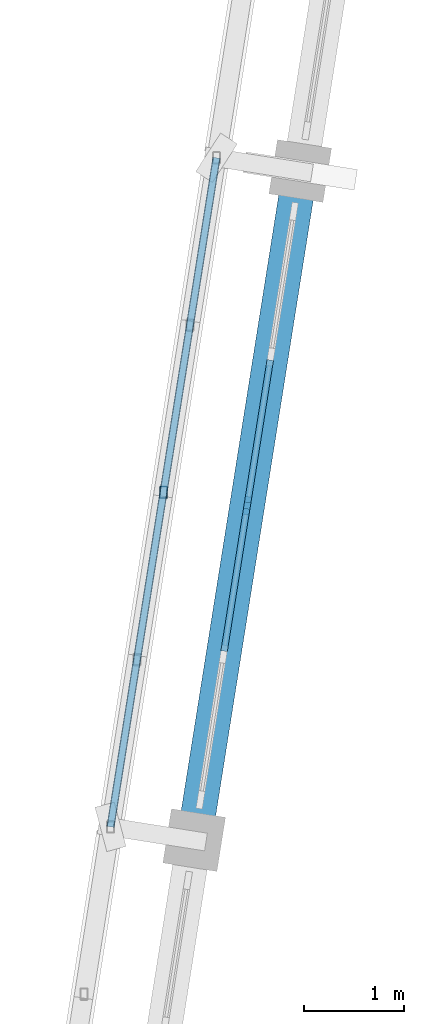
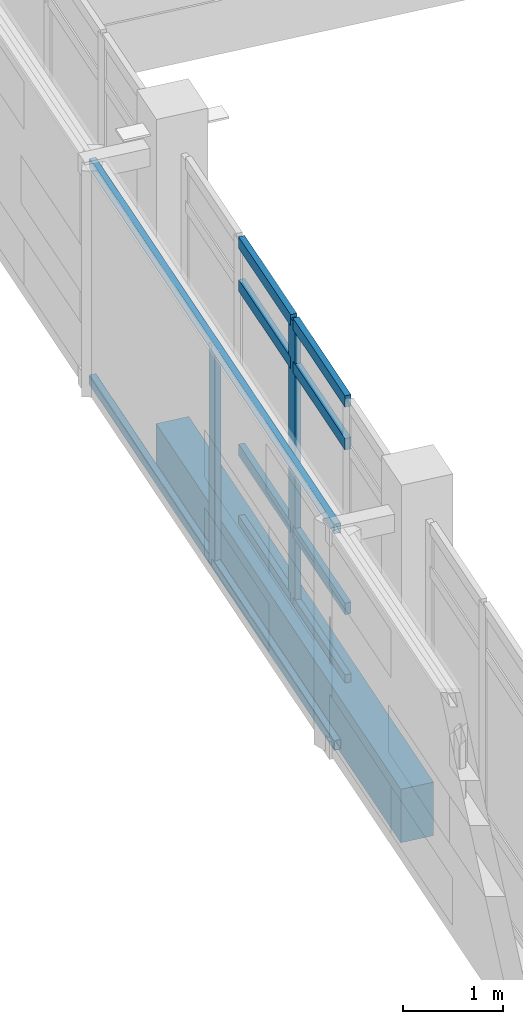
# One storey, part 37 of 117: 12 members, 1 beam, 1 element without a shape of its own.
"""IFC4 building model written with IfcOpenShell, lengths in metres."""

from ifc_helpers import new_model, si_unit, direction, frame, origin, origin_2d, place, context, subcontext, project, spatial, rectangle, hollow_rectangle, extrude, material, material_profile, profile_set, type_object, element, aggregate, save


model = new_model("IFC4")

# Units and contexts
model_context = context("Model", 3, precision=1e-05, world=origin(), true_north=direction((0.0, 1.0)))
body_context = subcontext(model_context, "Body", "Model", "MODEL_VIEW")
ifc_project = project(units=[si_unit("LENGTHUNIT", "METRE"), si_unit("AREAUNIT", "SQUARE_METRE"), si_unit("VOLUMEUNIT", "CUBIC_METRE"), si_unit("PLANEANGLEUNIT", "RADIAN"), si_unit("MASSUNIT", "GRAM", prefix="KILO")], contexts=[model_context])

# Site, building, storey
site_placement = place(None, origin())
site = spatial("IfcSite", under=ifc_project, at=site_placement, CompositionType="ELEMENT")
building_placement = place(site_placement, origin())
building = spatial("IfcBuilding", under=site, at=building_placement, Name="Cinderway Yard Community Centre", CompositionType="ELEMENT")
storey_placement = place(building_placement, frame((0.0, 0.0, 9.0)))
storey = spatial("IfcBuildingStorey", under=building, at=storey_placement, Name="L02", CompositionType="ELEMENT", Elevation=9.0)

# Curtain wall, members
ifc_material_1 = material(Name="Aluminium 6063-T6", Category="aluminium")
curtain_wall_type = type_object("IfcCurtainWallType", Name="ENV-CW-TYPE-17", PredefinedType="USERDEFINED", material=ifc_material_1)
curtain_wall_placement = place(storey_placement, origin())
curtain_wall = element("IfcCurtainWall", 1, at=curtain_wall_placement, inside=storey, type_object=curtain_wall_type, Name="Sports Hall Courtyard Curtain Wall ENV-CW-L02-HS-0064", ObjectType="GLAZED CURTAIN WALL", PredefinedType="USERDEFINED")
ifc_material_profile_1 = material_profile(ifc_material_1, rectangle(XDim=0.06494140625, YDim=0.179931640625, at=origin_2d()), Name="Aluminium 6063-T6")
ifc_profile_set_1 = profile_set([ifc_material_profile_1], Name="Aluminium 6063-T6")
member_type_1 = type_object("IfcMemberType", Name="ENV-CW-MULL-180", PredefinedType="MULLION", material=ifc_profile_set_1)
member_1_placement = place(storey_placement, frame((122.787109375, 68.222900390625, 0.0), z_axis=(0.0, 0.0, 1.0), x_axis=(-0.987660740525, 0.156608625643, 0.0)))
member_1 = element("IfcMember", 2, at=member_1_placement, type_object=member_type_1, Name="CW-17 mullion 3", PredefinedType="MULLION", context=body_context, shape_type="SweptSolid", body=[
    extrude(rectangle(XDim=0.06494140625, YDim=0.179931640625, at=origin_2d()), origin(), (0.0, 0.0, 1.0), 3.449951171875),
])
ifc_material_profile_2 = material_profile(ifc_material_1, rectangle(XDim=0.06494140625, YDim=0.139892578125, at=origin_2d()), Name="Aluminium 6063-T6")
ifc_profile_set_2 = profile_set([ifc_material_profile_2], Name="Aluminium 6063-T6")
member_type_2 = type_object("IfcMemberType", Name="ENV-CW-TRAN-140", PredefinedType="USERDEFINED", material=ifc_profile_set_2)
member_2_placement = place(storey_placement, frame((122.55517578125, 66.76123046875, 0.030029296875), z_axis=(0.156585060263, 0.987664476886, 0.0), x_axis=(-0.987664476886, 0.156585060263, 0.0)))
member_2 = element("IfcMember", 3, at=member_2_placement, type_object=member_type_2, Name="CW-17 transom 2.1", ObjectType="TRANSOM", PredefinedType="USERDEFINED", context=body_context, shape_type="SweptSolid", body=[
    extrude(rectangle(XDim=0.06494140625, YDim=0.139892578125, at=origin_2d()), origin(), (0.0, 0.0, 1.0), 1.449951171875),
])
member_3_placement = place(storey_placement, frame((122.55517578125, 66.76123046875, 0.89990234375), z_axis=(0.156585060263, 0.987664476886, 0.0), x_axis=(-0.987664476886, 0.156585060263, 0.0)))
member_3 = element("IfcMember", 4, at=member_3_placement, type_object=member_type_2, Name="CW-17 transom 2.2", ObjectType="TRANSOM", PredefinedType="USERDEFINED", context=body_context, shape_type="SweptSolid", body=[
    extrude(rectangle(XDim=0.06494140625, YDim=0.139892578125, at=origin_2d()), origin(), (0.0, 0.0, 1.0), 1.449951171875),
])
member_4_placement = place(storey_placement, frame((122.55517578125, 66.76123046875, 2.89990234375), z_axis=(0.156585060263, 0.987664476886, 0.0), x_axis=(-0.987664476886, 0.156585060263, 0.0)))
member_4 = element("IfcMember", 5, at=member_4_placement, type_object=member_type_2, Name="CW-17 transom 2.3", ObjectType="TRANSOM", PredefinedType="USERDEFINED", context=body_context, shape_type="SweptSolid", body=[
    extrude(rectangle(XDim=0.06494140625, YDim=0.139892578125, at=origin_2d()), origin(), (0.0, 0.0, 1.0), 1.449951171875),
])
member_5_placement = place(storey_placement, frame((122.55517578125, 66.76123046875, 3.419921875), z_axis=(0.156585060263, 0.987664476886, 0.0), x_axis=(-0.987664476886, 0.156585060263, 0.0)))
member_5 = element("IfcMember", 6, at=member_5_placement, type_object=member_type_2, Name="CW-17 transom 2.4", ObjectType="TRANSOM", PredefinedType="USERDEFINED", context=body_context, shape_type="SweptSolid", body=[
    extrude(rectangle(XDim=0.06494140625, YDim=0.139892578125, at=origin_2d()), origin(), (0.0, 0.0, 1.0), 1.449951171875),
])
member_6_placement = place(storey_placement, frame((122.791748046875, 68.252685546875, 0.030029296875), z_axis=(0.156585060263, 0.987664476886, 0.0), x_axis=(-0.987664476886, 0.156585060263, 0.0)))
member_6 = element("IfcMember", 7, at=member_6_placement, type_object=member_type_2, Name="CW-17 transom 3.1", ObjectType="TRANSOM", PredefinedType="USERDEFINED", context=body_context, shape_type="SweptSolid", body=[
    extrude(rectangle(XDim=0.06494140625, YDim=0.139892578125, at=origin_2d()), origin(), (0.0, 0.0, 1.0), 1.449951171875),
])
member_7_placement = place(storey_placement, frame((122.791748046875, 68.252685546875, 0.89990234375), z_axis=(0.156585060263, 0.987664476886, 0.0), x_axis=(-0.987664476886, 0.156585060263, 0.0)))
member_7 = element("IfcMember", 8, at=member_7_placement, type_object=member_type_2, Name="CW-17 transom 3.2", ObjectType="TRANSOM", PredefinedType="USERDEFINED", context=body_context, shape_type="SweptSolid", body=[
    extrude(rectangle(XDim=0.06494140625, YDim=0.139892578125, at=origin_2d()), origin(), (0.0, 0.0, 1.0), 1.449951171875),
])
member_8_placement = place(storey_placement, frame((122.791748046875, 68.252685546875, 2.89990234375), z_axis=(0.156585060263, 0.987664476886, 0.0), x_axis=(-0.987664476886, 0.156585060263, 0.0)))
member_8 = element("IfcMember", 9, at=member_8_placement, type_object=member_type_2, Name="CW-17 transom 3.3", ObjectType="TRANSOM", PredefinedType="USERDEFINED", context=body_context, shape_type="SweptSolid", body=[
    extrude(rectangle(XDim=0.06494140625, YDim=0.139892578125, at=origin_2d()), origin(), (0.0, 0.0, 1.0), 1.449951171875),
])
member_9_placement = place(storey_placement, frame((122.791748046875, 68.252685546875, 3.419921875), z_axis=(0.156585060263, 0.987664476886, 0.0), x_axis=(-0.987664476886, 0.156585060263, 0.0)))
member_9 = element("IfcMember", 10, at=member_9_placement, type_object=member_type_2, Name="CW-17 transom 3.4", ObjectType="TRANSOM", PredefinedType="USERDEFINED", context=body_context, shape_type="SweptSolid", body=[
    extrude(rectangle(XDim=0.06494140625, YDim=0.139892578125, at=origin_2d()), origin(), (0.0, 0.0, 1.0), 1.449951171875),
])
aggregate(curtain_wall, [member_1, member_2, member_3, member_4, member_5, member_6, member_7, member_8, member_9])

# Members
ifc_material_2 = material(Name="Steel S355", Category="steel")
ifc_material_profile_3 = material_profile(ifc_material_2, hollow_rectangle(XDim=0.080078125, YDim=0.1201171875, WallThickness=0.00634765625, InnerFilletRadius=0.00634765625, OuterFilletRadius=0.0126953125, at=origin_2d()), Name="Steel S355")
ifc_profile_set_3 = profile_set([ifc_material_profile_3], Name="Steel S355")
member_type_3 = type_object("IfcMemberType", Name="ENV-MEM-SCREEN-RAIL-120", PredefinedType="STRINGER", material=ifc_profile_set_3)
for number, where, z_axis, x_axis, name in (
    (11, (121.4150390625, 64.998046875, 0.7099609375), (0.156469575446, 0.987682779013, 0.0), (-0.987682779013, 0.156469575446, 0.0), "Screen support rail 1069-BOT"),
    (12, (121.4150390625, 64.998046875, 3.340087890625), (0.156469575446, 0.987682779013, 0.0), (-0.987682779013, 0.156469575446, 0.0), "Screen support rail 1070-TOP"),
):
    element("IfcMember", number, at=place(storey_placement, frame(where, z_axis=z_axis, x_axis=x_axis)), inside=storey, type_object=member_type_3, Name=name, PredefinedType="STRINGER", context=body_context, shape_type="SweptSolid", body=[
        extrude(hollow_rectangle(XDim=0.080078125, YDim=0.1201171875, WallThickness=0.00634765625, InnerFilletRadius=0.00634765625, OuterFilletRadius=0.0126953125, at=origin_2d()), origin(), (0.0, 0.0, 1.0), 6.7998046875),
    ])
member_10_placement = place(storey_placement, frame((121.947021484375, 68.35595703125, 0.68994140625), z_axis=(0.0, 0.0, 1.0), x_axis=(1.0, 0.0, 0.0)))
element("IfcMember", 13, at=member_10_placement, inside=storey, type_object=member_type_3, Name="Screen vertical mullion 1072", PredefinedType="STRINGER", context=body_context, shape_type="SweptSolid", body=[
    extrude(hollow_rectangle(XDim=0.080078125, YDim=0.1201171875, WallThickness=0.00634765625, InnerFilletRadius=0.00634765625, OuterFilletRadius=0.0126953125, at=origin_2d()), origin(), (0.0, 0.0, 1.0), 2.670166015625),
])

# Beam
ifc_material_3 = material(Name="Concrete C35/45", Category="concrete")
ifc_material_profile_4 = material_profile(ifc_material_3, rectangle(XDim=0.35009765625, YDim=0.64990234375, at=origin_2d()), Name="Concrete C35/45")
ifc_profile_set_4 = profile_set([ifc_material_profile_4], Name="Concrete C35/45")
beam_type = type_object("IfcBeamType", Name="STR-BM-RC350X650", PredefinedType="BEAM", material=ifc_profile_set_4)
beam_placement = place(storey_placement, frame((122.2548828125, 64.864990234375, -0.324951171875), z_axis=(0.15650460011, 0.987677229739, 0.0), x_axis=(-0.987677229739, 0.15650460011, 0.0)))
element("IfcBeam", 14, at=beam_placement, inside=storey, type_object=beam_type, Name="Sports Hall west ring beam STR-BM-L02-BG08-0426", PredefinedType="BEAM", context=body_context, shape_type="SweptSolid", body=[
    extrude(rectangle(XDim=0.35009765625, YDim=0.64990234375, at=origin_2d()), origin(), (0.0, 0.0, 1.0), 6.7998046875),
])

save(model, "model.ifc")
